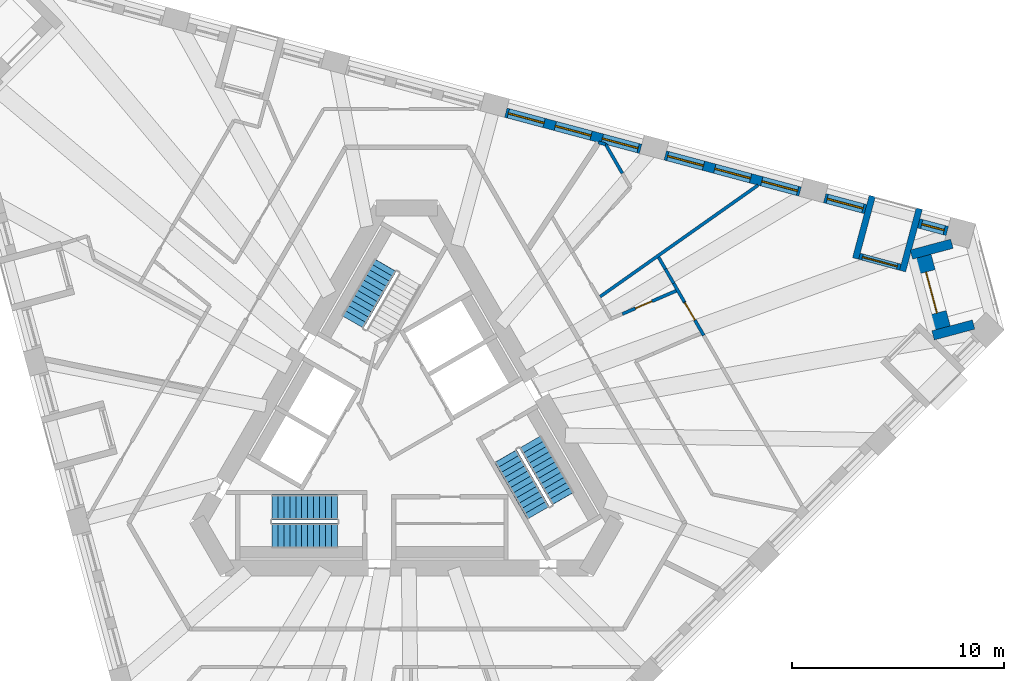
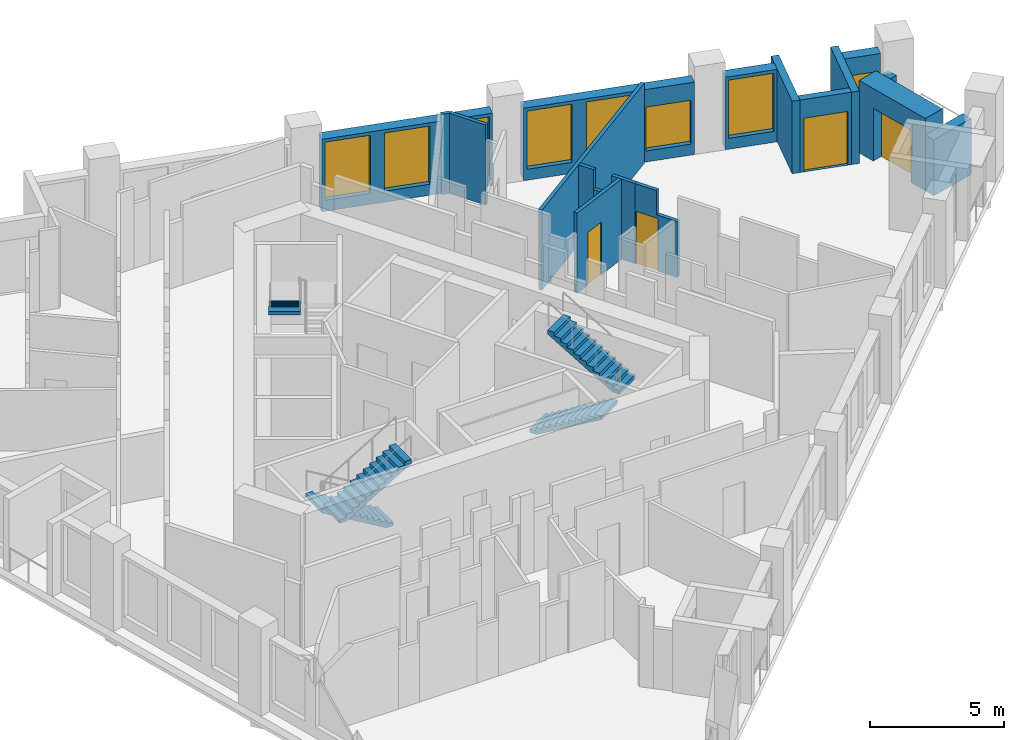
# One storey, part 8 of 13: 18 walls, 8 windows, 5 stair flights, 4 doors, 12 openings, 3 elements without a shape of their own.
"""IFC4 building model written with IfcOpenShell, lengths in metres."""

from ifc_helpers import new_model, si_unit, direction, frame, frame_2d, origin, place, context, subcontext, project, spatial, polyline, rectangle, outline, extrude, material, layer, layer_set, type_object, element, fill, aggregate, save


model = new_model("IFC4")

# Units and contexts
model_context = context("Model", 3, precision=1e-05, world=origin(), true_north=direction((0.0, 1.0)))
body_context = subcontext(model_context, "Body", "Model", "MODEL_VIEW")
ifc_project = project(units=[si_unit("LENGTHUNIT", "METRE"), si_unit("AREAUNIT", "SQUARE_METRE"), si_unit("VOLUMEUNIT", "CUBIC_METRE"), si_unit("PLANEANGLEUNIT", "RADIAN"), si_unit("MASSUNIT", "GRAM", prefix="KILO")], contexts=[model_context])

# Site, building, storey
site_placement = place(None, origin())
site = spatial("IfcSite", under=ifc_project, at=site_placement, CompositionType="ELEMENT")
building_placement = place(site_placement, origin())
building = spatial("IfcBuilding", under=site, at=building_placement, Name="Tramontana Tower", CompositionType="ELEMENT")
storey_placement = place(building_placement, frame((0.0, 0.0, 224.0)))
storey = spatial("IfcBuildingStorey", under=building, at=storey_placement, Name="L52", CompositionType="ELEMENT", Elevation=224.0)

# Wall, opening, window
ifc_material_1 = material(Name="Precast concrete 60 MPa", Category="concrete")
ifc_layer_1 = layer(ifc_material_1, 0.449951171875)
ifc_layer_set_1 = layer_set([ifc_layer_1], Name="Precast concrete 60 MPa, 450 mm")
wall_type_1 = type_object("IfcWallType", Name="EW1 Stone-faced precast wall 450", PredefinedType="SOLIDWALL", material=ifc_layer_set_1)
wall_1_placement = place(storey_placement, frame((25.522705078125, 9.54443359375, 0.0), z_axis=(0.0, 0.0, 1.0), x_axis=(-0.965938699585, 0.258770996527, 0.0)))
wall_1 = element("IfcWall", 1, at=wall_1_placement, inside=storey, type_object=wall_type_1, Name="External wall L52 face 2 bay 1", PredefinedType="SOLIDWALL", context=body_context, shape_type="SweptSolid", body=[
    extrude(rectangle(XDim=1.398193359375, YDim=0.449951171875, at=frame_2d((0.69921875, 0.0))), origin(), (0.0, 0.0, 1.0), 3.300048828125),
])
opening_1_placement = place(wall_1_placement, frame((0.14892578125, 0.0, 0.5)))
opening_1 = element("IfcOpeningElement", 2, at=opening_1_placement, cuts=wall_1, Name="Opening N2L", PredefinedType="OPENING", context=body_context, shape_type="SweptSolid", body=[
    extrude(rectangle(XDim=1.10009765625, YDim=2.0, at=frame_2d((0.550048828125, 1.0))), frame((0.0, 0.23486328125, 0.0), z_axis=(0.0, -1.0, 0.0), x_axis=(1.0, 0.0, 0.0)), (0.0, 0.0, 1.0), 0.469970703125),
])
ifc_material_2 = material(Name="Aluminum frame, double glazing unit", Category="aluminium")
window_type_1 = type_object("IfcWindowType", Name="N2L Window 1.1 x 2", PartitioningType="SINGLE_PANEL", PredefinedType="WINDOW", material=ifc_material_2)
window_1_placement = place(opening_1_placement, origin())
window_1 = element("IfcWindow", 3, at=window_1_placement, inside=storey, type_object=window_type_1, Name="Window N2L L52 face 2 module 1", OverallHeight=2.0, OverallWidth=1.10009765625, PartitioningType="SINGLE_PANEL", PredefinedType="WINDOW", context=body_context, shape_type="SweptSolid", body=[
    extrude(rectangle(XDim=1.10009765625, YDim=2.0, at=frame_2d((0.550048828125, 1.0))), frame((0.0, 0.030029296875, 0.0), z_axis=(0.0, -1.0, 0.0), x_axis=(1.0, 0.0, 0.0)), (0.0, 0.0, 1.0), 0.06005859375),
])
fill(opening_1, window_1)

wall_2_placement = place(storey_placement, frame((21.66259765625, 10.578857421875, 0.0), z_axis=(0.0, 0.0, 1.0), x_axis=(-0.96593005298, 0.258803270362, 0.0)))
wall_2 = element("IfcWall", 4, at=wall_2_placement, inside=storey, type_object=wall_type_1, Name="External wall L52 face 2 bay 1", PredefinedType="SOLIDWALL", context=body_context, shape_type="SweptSolid", body=[
    extrude(rectangle(XDim=1.998046875, YDim=0.449951171875, at=frame_2d((0.9990234375, 0.0))), origin(), (0.0, 0.0, 1.0), 3.300048828125),
])
opening_2_placement = place(wall_2_placement, frame((0.1240234375, 0.0, 0.5)))
opening_2 = element("IfcOpeningElement", 5, at=opening_2_placement, cuts=wall_2, Name="Opening M2", PredefinedType="OPENING", context=body_context, shape_type="SweptSolid", body=[
    extrude(rectangle(XDim=1.75, YDim=2.64990234375, at=frame_2d((0.875, 1.324951171875))), frame((0.0, 0.23486328125, 0.0), z_axis=(0.0, -1.0, 0.0), x_axis=(1.0, 0.0, 0.0)), (0.0, 0.0, 1.0), 0.469970703125),
])
ifc_material_3 = material(Name="Aluminum frame, double glazing unit", Category="aluminium")
window_type_2 = type_object("IfcWindowType", Name="M2 Window 1.75 x 2.65", PartitioningType="SINGLE_PANEL", PredefinedType="WINDOW", material=ifc_material_3)
window_2_placement = place(opening_2_placement, origin())
window_2 = element("IfcWindow", 6, at=window_2_placement, inside=storey, type_object=window_type_2, Name="Window M2 L52 face 2 module 3", OverallHeight=2.64990234375, OverallWidth=1.75, PartitioningType="SINGLE_PANEL", PredefinedType="WINDOW", context=body_context, shape_type="SweptSolid", body=[
    extrude(rectangle(XDim=1.75, YDim=2.64990234375, at=frame_2d((0.875, 1.324951171875))), frame((0.0, 0.030029296875, 0.0), z_axis=(0.0, -1.0, 0.0), x_axis=(1.0, 0.0, 0.0)), (0.0, 0.0, 1.0), 0.06005859375),
])
fill(opening_2, window_2)

# Wall, openings, windows
wall_3_placement = place(storey_placement, frame((18.573486328125, 11.406494140625, 0.0), z_axis=(0.0, 0.0, 1.0), x_axis=(-0.965921443251, 0.258835402268, 0.0)))
wall_3 = element("IfcWall", 7, at=wall_3_placement, inside=storey, type_object=wall_type_1, Name="External wall L52 face 2 bay 2", PredefinedType="SOLIDWALL", context=body_context, shape_type="SweptSolid", body=[
    extrude(rectangle(XDim=6.593994140625, YDim=0.449951171875, at=frame_2d((3.296875, 0.0))), origin(), (0.0, 0.0, 1.0), 3.300048828125),
])
opening_3_placement = place(wall_3_placement, frame((0.1240234375, 0.0, 0.5)))
opening_3 = element("IfcOpeningElement", 8, at=opening_3_placement, cuts=wall_3, Name="Opening M2L", PredefinedType="OPENING", context=body_context, shape_type="SweptSolid", body=[
    extrude(rectangle(XDim=1.75, YDim=2.0, at=frame_2d((0.875, 1.0))), frame((0.0, 0.23486328125, 0.0), z_axis=(0.0, -1.0, 0.0), x_axis=(1.0, 0.0, 0.0)), (0.0, 0.0, 1.0), 0.469970703125),
])
opening_4_placement = place(wall_3_placement, frame((2.422119140625, 0.0, 0.5)))
opening_4 = element("IfcOpeningElement", 9, at=opening_4_placement, cuts=wall_3, Name="Opening M2", PredefinedType="OPENING", context=body_context, shape_type="SweptSolid", body=[
    extrude(rectangle(XDim=1.75, YDim=2.64990234375, at=frame_2d((0.875, 1.324951171875))), frame((0.0, 0.23486328125, 0.0), z_axis=(0.0, -1.0, 0.0), x_axis=(1.0, 0.0, 0.0)), (0.0, 0.0, 1.0), 0.469970703125),
])
opening_5_placement = place(wall_3_placement, frame((4.72021484375, 0.0, 0.5)))
opening_5 = element("IfcOpeningElement", 10, at=opening_5_placement, cuts=wall_3, Name="Opening M2", PredefinedType="OPENING", context=body_context, shape_type="SweptSolid", body=[
    extrude(rectangle(XDim=1.75, YDim=2.64990234375, at=frame_2d((0.875, 1.324951171875))), frame((0.0, 0.23486328125, 0.0), z_axis=(0.0, -1.0, 0.0), x_axis=(1.0, 0.0, 0.0)), (0.0, 0.0, 1.0), 0.469970703125),
])
window_3_placement = place(opening_4_placement, origin())
window_3 = element("IfcWindow", 11, at=window_3_placement, inside=storey, type_object=window_type_2, Name="Window M2 L52 face 2 module 5", OverallHeight=2.64990234375, OverallWidth=1.75, PartitioningType="SINGLE_PANEL", PredefinedType="WINDOW", context=body_context, shape_type="SweptSolid", body=[
    extrude(rectangle(XDim=1.75, YDim=2.64990234375, at=frame_2d((0.875, 1.324951171875))), frame((0.0, 0.030029296875, 0.0), z_axis=(0.0, -1.0, 0.0), x_axis=(1.0, 0.0, 0.0)), (0.0, 0.0, 1.0), 0.06005859375),
])
fill(opening_4, window_3)
window_4_placement = place(opening_5_placement, origin())
window_4 = element("IfcWindow", 12, at=window_4_placement, inside=storey, type_object=window_type_2, Name="Window M2 L52 face 2 module 6", OverallHeight=2.64990234375, OverallWidth=1.75, PartitioningType="SINGLE_PANEL", PredefinedType="WINDOW", context=body_context, shape_type="SweptSolid", body=[
    extrude(rectangle(XDim=1.75, YDim=2.64990234375, at=frame_2d((0.875, 1.324951171875))), frame((0.0, 0.030029296875, 0.0), z_axis=(0.0, -1.0, 0.0), x_axis=(1.0, 0.0, 0.0)), (0.0, 0.0, 1.0), 0.06005859375),
])
fill(opening_5, window_4)
ifc_material_4 = material(Name="Aluminum frame, double glazing unit", Category="aluminium")
window_type_3 = type_object("IfcWindowType", Name="M2L Window 1.75 x 2", PartitioningType="SINGLE_PANEL", PredefinedType="WINDOW", material=ifc_material_4)
window_5_placement = place(opening_3_placement, origin())
window_5 = element("IfcWindow", 13, at=window_5_placement, inside=storey, type_object=window_type_3, Name="Window M2L L52 face 2 module 4", OverallHeight=2.0, OverallWidth=1.75, PartitioningType="SINGLE_PANEL", PredefinedType="WINDOW", context=body_context, shape_type="SweptSolid", body=[
    extrude(rectangle(XDim=1.75, YDim=2.0, at=frame_2d((0.875, 1.0))), frame((0.0, 0.030029296875, 0.0), z_axis=(0.0, -1.0, 0.0), x_axis=(1.0, 0.0, 0.0)), (0.0, 0.0, 1.0), 0.06005859375),
])
fill(opening_3, window_5)

wall_4_placement = place(storey_placement, frame((11.044921875, 13.423828125, 0.0), z_axis=(0.0, 0.0, 1.0), x_axis=(-0.965933178973, 0.258791602952, 0.0)))
wall_4 = element("IfcWall", 14, at=wall_4_placement, inside=storey, type_object=wall_type_1, Name="External wall L52 face 2 bay 3", PredefinedType="SOLIDWALL", context=body_context, shape_type="SweptSolid", body=[
    extrude(rectangle(XDim=6.59423828125, YDim=0.449951171875, at=frame_2d((3.297119140625, 0.0))), origin(), (0.0, 0.0, 1.0), 3.300048828125),
])
opening_6_placement = place(wall_4_placement, frame((0.1240234375, 0.0, 0.5)))
opening_6 = element("IfcOpeningElement", 15, at=opening_6_placement, cuts=wall_4, Name="Opening M2", PredefinedType="OPENING", context=body_context, shape_type="SweptSolid", body=[
    extrude(rectangle(XDim=1.75, YDim=2.64990234375, at=frame_2d((0.875, 1.324951171875))), frame((0.0, 0.23486328125, 0.0), z_axis=(0.0, -1.0, 0.0), x_axis=(1.0, 0.0, 0.0)), (0.0, 0.0, 1.0), 0.469970703125),
])
opening_7_placement = place(wall_4_placement, frame((2.422119140625, 0.0, 0.5)))
opening_7 = element("IfcOpeningElement", 16, at=opening_7_placement, cuts=wall_4, Name="Opening M2", PredefinedType="OPENING", context=body_context, shape_type="SweptSolid", body=[
    extrude(rectangle(XDim=1.75, YDim=2.64990234375, at=frame_2d((0.875, 1.324951171875))), frame((0.0, 0.23486328125, 0.0), z_axis=(0.0, -1.0, 0.0), x_axis=(1.0, 0.0, 0.0)), (0.0, 0.0, 1.0), 0.469970703125),
])
opening_8_placement = place(wall_4_placement, frame((4.72021484375, 0.0, 0.5)))
opening_8 = element("IfcOpeningElement", 17, at=opening_8_placement, cuts=wall_4, Name="Opening M2", PredefinedType="OPENING", context=body_context, shape_type="SweptSolid", body=[
    extrude(rectangle(XDim=1.75, YDim=2.64990234375, at=frame_2d((0.875, 1.324951171875))), frame((0.0, 0.23486328125, 0.0), z_axis=(0.0, -1.0, 0.0), x_axis=(1.0, 0.0, 0.0)), (0.0, 0.0, 1.0), 0.469970703125),
])
window_6_placement = place(opening_6_placement, origin())
window_6 = element("IfcWindow", 18, at=window_6_placement, inside=storey, type_object=window_type_2, Name="Window M2 L52 face 2 module 7", OverallHeight=2.64990234375, OverallWidth=1.75, PartitioningType="SINGLE_PANEL", PredefinedType="WINDOW", context=body_context, shape_type="SweptSolid", body=[
    extrude(rectangle(XDim=1.75, YDim=2.64990234375, at=frame_2d((0.875, 1.324951171875))), frame((0.0, 0.030029296875, 0.0), z_axis=(0.0, -1.0, 0.0), x_axis=(1.0, 0.0, 0.0)), (0.0, 0.0, 1.0), 0.06005859375),
])
fill(opening_6, window_6)
window_7_placement = place(opening_7_placement, origin())
window_7 = element("IfcWindow", 19, at=window_7_placement, inside=storey, type_object=window_type_2, Name="Window M2 L52 face 2 module 8", OverallHeight=2.64990234375, OverallWidth=1.75, PartitioningType="SINGLE_PANEL", PredefinedType="WINDOW", context=body_context, shape_type="SweptSolid", body=[
    extrude(rectangle(XDim=1.75, YDim=2.64990234375, at=frame_2d((0.875, 1.324951171875))), frame((0.0, 0.030029296875, 0.0), z_axis=(0.0, -1.0, 0.0), x_axis=(1.0, 0.0, 0.0)), (0.0, 0.0, 1.0), 0.06005859375),
])
fill(opening_7, window_7)
window_8_placement = place(opening_8_placement, origin())
window_8 = element("IfcWindow", 20, at=window_8_placement, inside=storey, type_object=window_type_2, Name="Window M2 L52 face 2 module 9", OverallHeight=2.64990234375, OverallWidth=1.75, PartitioningType="SINGLE_PANEL", PredefinedType="WINDOW", context=body_context, shape_type="SweptSolid", body=[
    extrude(rectangle(XDim=1.75, YDim=2.64990234375, at=frame_2d((0.875, 1.324951171875))), frame((0.0, 0.030029296875, 0.0), z_axis=(0.0, -1.0, 0.0), x_axis=(1.0, 0.0, 0.0)), (0.0, 0.0, 1.0), 0.06005859375),
])
fill(opening_8, window_8)

# Walls
wall_5_placement = place(storey_placement, frame((25.741943359375, 8.942138671875, 0.0), z_axis=(0.0, 0.0, 1.0), x_axis=(-0.965935388955, -0.258783354109, 0.0)))
element("IfcWall", 21, at=wall_5_placement, inside=storey, type_object=wall_type_1, Name="Corner loggia side wall L52 K52l", PredefinedType="SOLIDWALL", context=body_context, shape_type="SweptSolid", body=[
    extrude(rectangle(XDim=1.979248046875, YDim=0.449951171875, at=frame_2d((0.98974609375, 0.0))), origin(), (0.0, 0.0, 1.0), 2.550048828125),
])
wall_6_placement = place(storey_placement, frame((26.76416015625, 5.126708984375, 0.0), z_axis=(0.0, 0.0, 1.0), x_axis=(-0.965927127032, -0.258814190615, 0.0)))
element("IfcWall", 22, at=wall_6_placement, inside=storey, type_object=wall_type_1, Name="Corner loggia side wall L52 K52r", PredefinedType="SOLIDWALL", context=body_context, shape_type="SweptSolid", body=[
    extrude(rectangle(XDim=1.97900390625, YDim=0.449951171875, at=frame_2d((0.989501953125, 0.0))), origin(), (0.0, 0.0, 1.0), 2.550048828125),
])

# Wall, opening, door
ifc_material_5 = material(Name="Precast concrete 60 MPa", Category="concrete")
ifc_layer_2 = layer(ifc_material_5, 0.89990234375)
ifc_layer_set_2 = layer_set([ifc_layer_2], Name="EW2 Stone-faced corner loggia wall 900")
wall_type_2 = type_object("IfcWallType", Name="EW2 Stone-faced corner loggia wall 900", PredefinedType="SOLIDWALL", material=ifc_layer_set_2)
wall_7_placement = place(storey_placement, frame((24.322998046875, 8.3291015625, 0.0), z_axis=(0.0, 0.0, 1.0), x_axis=(0.258847652622, -0.965918160473, 0.0)))
wall_7 = element("IfcWall", 23, at=wall_7_placement, inside=storey, type_object=wall_type_2, Name="Corner loggia wall L52 K52", PredefinedType="SOLIDWALL", context=body_context, shape_type="SweptSolid", body=[
    extrude(rectangle(XDim=3.500244140625, YDim=0.89990234375, at=frame_2d((1.75, 0.0))), origin(), (0.0, 0.0, 1.0), 3.300048828125),
])
opening_9_placement = place(wall_7_placement, frame((0.75, 0.0, 0.0)))
opening_9 = element("IfcOpeningElement", 24, at=opening_9_placement, cuts=wall_7, Name="Opening BD-52C", PredefinedType="OPENING", context=body_context, shape_type="SweptSolid", body=[
    extrude(rectangle(XDim=2.0, YDim=2.39990234375, at=frame_2d((1.0, 1.199951171875))), frame((0.0, 0.4599609375, 0.0), z_axis=(0.0, -1.0, 0.0), x_axis=(1.0, 0.0, 0.0)), (0.0, 0.0, 1.0), 0.919921875),
])
ifc_material_6 = material(Name="Aluminum frame, double glazing unit", Category="aluminium")
door_type_1 = type_object("IfcDoorType", Name="BC1 Sliding door 2 x 2.4", OperationType="SLIDING_TO_LEFT", PredefinedType="DOOR", material=ifc_material_6)
door_1_placement = place(opening_9_placement, origin())
door_1 = element("IfcDoor", 25, at=door_1_placement, inside=storey, type_object=door_type_1, Name="Corner loggia door L52 K52", OperationType="SLIDING_TO_LEFT", OverallHeight=2.39990234375, OverallWidth=2.0, PredefinedType="DOOR", context=body_context, shape_type="SweptSolid", body=[
    extrude(rectangle(XDim=2.0, YDim=2.39990234375, at=frame_2d((1.0, 1.199951171875))), frame((0.0, 0.02490234375, 0.0), z_axis=(0.0, -1.0, 0.0), x_axis=(1.0, 0.0, 0.0)), (0.0, 0.0, 1.0), 0.050048828125),
])
fill(opening_9, door_1)

ifc_material_7 = material(Name="Precast concrete 60 MPa", Category="concrete")
ifc_layer_3 = layer(ifc_material_7, 0.300048828125)
ifc_layer_set_3 = layer_set([ifc_layer_3], Name="LW1 Stone-faced loggia wall 300")
wall_type_3 = type_object("IfcWallType", Name="LW1 Stone-faced loggia wall 300", PredefinedType="SOLIDWALL", material=ifc_layer_set_3)
wall_8_placement = place(storey_placement, frame((23.306640625, 7.834716796875, 0.0), z_axis=(0.0, 0.0, 1.0), x_axis=(-0.965938235865, 0.258772727493, 0.0)))
wall_8 = element("IfcWall", 26, at=wall_8_placement, inside=storey, type_object=wall_type_3, Name="Loggia wall L52 G5S2.1", PredefinedType="SOLIDWALL", context=body_context, shape_type="SweptSolid", body=[
    extrude(rectangle(XDim=1.998291015625, YDim=0.300048828125, at=frame_2d((0.9990234375, 0.0))), origin(), (0.0, 0.0, 1.0), 3.300048828125),
])
opening_10_placement = place(wall_8_placement, frame((0.14892578125, 0.0, 0.0)))
opening_10 = element("IfcOpeningElement", 27, at=opening_10_placement, cuts=wall_8, Name="Opening BD-5S2-01", PredefinedType="OPENING", context=body_context, shape_type="SweptSolid", body=[
    extrude(rectangle(XDim=1.699951171875, YDim=2.449951171875, at=frame_2d((0.85009765625, 1.22509765625))), frame((0.0, 0.159912109375, 0.0), z_axis=(0.0, -1.0, 0.0), x_axis=(1.0, 0.0, 0.0)), (0.0, 0.0, 1.0), 0.320068359375),
])
ifc_material_8 = material(Name="Aluminum frame, double glazing unit", Category="aluminium")
door_type_2 = type_object("IfcDoorType", Name="BD2 Sliding door 1.7 x 2.45", OperationType="SLIDING_TO_LEFT", PredefinedType="DOOR", material=ifc_material_8)
door_2_placement = place(opening_10_placement, origin())
door_2 = element("IfcDoor", 28, at=door_2_placement, inside=storey, type_object=door_type_2, Name="Loggia door L52 G5S2.1", OperationType="SLIDING_TO_LEFT", OverallHeight=2.449951171875, OverallWidth=1.699951171875, PredefinedType="DOOR", context=body_context, shape_type="SweptSolid", body=[
    extrude(rectangle(XDim=1.699951171875, YDim=2.449951171875, at=frame_2d((0.85009765625, 1.22509765625))), frame((0.0, 0.02490234375, 0.0), z_axis=(0.0, -1.0, 0.0), x_axis=(1.0, 0.0, 0.0)), (0.0, 0.0, 1.0), 0.050048828125),
])
fill(opening_10, door_2)

# Walls
for number, where, z_axis, x_axis, name in (
    (29, (24.201904296875, 10.59716796875, 0.0), (0.0, 0.0, 1.0), (-0.258793435045, -0.965932688119, 0.0), "Loggia return L52 G5S2.1a"),
    (30, (21.982177734375, 11.19189453125, 0.0), (0.0, 0.0, 1.0), (-0.258793435045, -0.965932688119, 0.0), "Loggia return L52 G5S2.1b"),
):
    element("IfcWall", number, at=place(storey_placement, frame(where, z_axis=z_axis, x_axis=x_axis)), inside=storey, type_object=wall_type_3, Name=name, PredefinedType="SOLIDWALL", context=body_context, shape_type="SweptSolid", body=[
        extrude(rectangle(XDim=3.050048828125, YDim=0.300048828125, at=frame_2d((1.52490234375, 0.0))), origin(), (0.0, 0.0, 1.0), 3.300048828125),
    ])
ifc_material_9 = material(Name="Gypsum board partition")
ifc_layer_4 = layer(ifc_material_9, 0.14990234375)
ifc_layer_set_4 = layer_set([ifc_layer_4], Name="PARTITION 150")
wall_type_4 = type_object("IfcWallType", Name="PARTITION 150", PredefinedType="PARTITIONING", material=ifc_layer_set_4)
wall_9_placement = place(storey_placement, frame((9.056640625, 13.7236328125, 0.0), z_axis=(0.0, 0.0, 1.0), x_axis=(0.96594175785, -0.258759580387, 0.0)))
element("IfcWall", 31, at=wall_9_placement, inside=storey, type_object=wall_type_4, Name="Wall v52-pw26", PredefinedType="PARTITIONING", context=body_context, shape_type="SweptSolid", body=[
    extrude(rectangle(XDim=0.34619140625, YDim=0.14990234375, at=frame_2d((0.173095703125, 0.0))), origin(), (0.0, 0.0, 1.0), 3.64990234375),
])
wall_10_placement = place(storey_placement, frame((9.126708984375, 6.44189453125, 0.0), z_axis=(0.0, 0.0, 1.0), x_axis=(0.816989355672, 0.576652748817, 0.0)))
element("IfcWall", 32, at=wall_10_placement, inside=storey, type_object=wall_type_4, Name="Wall v52-pw27", PredefinedType="PARTITIONING", context=body_context, shape_type="SweptSolid", body=[
    extrude(rectangle(XDim=9.129150390625, YDim=0.14990234375, at=frame_2d((4.564453125, 0.0))), origin(), (0.0, 0.0, 1.0), 3.64990234375),
])
wall_11_placement = place(storey_placement, frame((9.39111328125, 13.634033203125, 0.0), z_axis=(0.0, 0.0, 1.0), x_axis=(0.500048238042, -0.865997551747, 0.0)))
element("IfcWall", 33, at=wall_11_placement, inside=storey, type_object=wall_type_4, Name="Wall v52-pw28-0", PredefinedType="PARTITIONING", context=body_context, shape_type="SweptSolid", body=[
    extrude(rectangle(XDim=1.578369140625, YDim=0.14990234375, at=frame_2d((0.7890625, 0.0))), origin(), (0.0, 0.0, 1.0), 3.64990234375),
])

# Wall, opening, door
wall_12_placement = place(storey_placement, frame((10.1806640625, 5.626220703125, 0.0), z_axis=(0.0, 0.0, 1.0), x_axis=(0.918774601561, 0.394782511677, 0.0)))
wall_12 = element("IfcWall", 34, at=wall_12_placement, inside=storey, type_object=wall_type_4, Name="Wall v52-pw29-1", PredefinedType="PARTITIONING", context=body_context, shape_type="SweptSolid", body=[
    extrude(rectangle(XDim=2.764404296875, YDim=0.14990234375, at=frame_2d((1.38232421875, 0.0))), origin(), (0.0, 0.0, 1.0), 3.64990234375),
])
opening_11_placement = place(wall_12_placement, frame((0.666015625, 0.0, 0.0)))
opening_11 = element("IfcOpeningElement", 35, at=opening_11_placement, cuts=wall_12, Name="Opening B5C-13", PredefinedType="OPENING", context=body_context, shape_type="SweptSolid", body=[
    extrude(rectangle(XDim=0.85009765625, YDim=2.39990234375, at=frame_2d((0.425048828125, 1.199951171875))), frame((0.0, 0.0849609375, 0.0), z_axis=(0.0, -1.0, 0.0), x_axis=(1.0, 0.0, 0.0)), (0.0, 0.0, 1.0), 0.169921875),
])
ifc_material_10 = material(Name="Painted timber", Category="wood")
door_type_3 = type_object("IfcDoorType", Name="DOOR BATH 850", OperationType="SINGLE_SWING_LEFT", PredefinedType="DOOR", material=ifc_material_10)
door_3_placement = place(opening_11_placement, origin())
door_3 = element("IfcDoor", 36, at=door_3_placement, inside=storey, type_object=door_type_3, Name="Door B5C-13", OperationType="SINGLE_SWING_LEFT", OverallHeight=2.39990234375, OverallWidth=0.85009765625, PredefinedType="DOOR", context=body_context, shape_type="SweptSolid", body=[
    extrude(rectangle(XDim=0.85009765625, YDim=2.39990234375, at=frame_2d((0.425048828125, 1.199951171875))), frame((0.0, 0.02490234375, 0.0), z_axis=(0.0, -1.0, 0.0), x_axis=(1.0, 0.0, 0.0)), (0.0, 0.0, 1.0), 0.050048828125),
])
fill(opening_11, door_3)

# Walls
wall_13_placement = place(storey_placement, frame((11.892333984375, 8.302001953125, 0.0), z_axis=(0.0, 0.0, 1.0), x_axis=(0.499842556608, -0.866116284689, 0.0)))
element("IfcWall", 37, at=wall_13_placement, inside=storey, type_object=wall_type_4, Name="Wall v52-pw33-0", PredefinedType="PARTITIONING", context=body_context, shape_type="SweptSolid", body=[
    extrude(rectangle(XDim=0.645263671875, YDim=0.14990234375, at=frame_2d((0.32275390625, 0.0))), origin(), (0.0, 0.0, 1.0), 3.64990234375),
])
wall_14_placement = place(storey_placement, frame((12.21484375, 7.7431640625, 0.0), z_axis=(0.0, 0.0, 1.0), x_axis=(0.500204125617, -0.865907519724, 0.0)))
element("IfcWall", 38, at=wall_14_placement, inside=storey, type_object=wall_type_4, Name="Wall v52-pw33-1", PredefinedType="PARTITIONING", context=body_context, shape_type="SweptSolid", body=[
    extrude(rectangle(XDim=0.775146484375, YDim=0.14990234375, at=frame_2d((0.3876953125, 0.0))), origin(), (0.0, 0.0, 1.0), 2.75),
])
wall_15_placement = place(storey_placement, frame((12.6025390625, 7.072021484375, 0.0), z_axis=(0.0, 0.0, 1.0), x_axis=(0.499813337478, -0.866133146623, 0.0)))
element("IfcWall", 39, at=wall_15_placement, inside=storey, type_object=wall_type_4, Name="Wall v52-pw33-2", PredefinedType="PARTITIONING", context=body_context, shape_type="SweptSolid", body=[
    extrude(rectangle(XDim=1.0078125, YDim=0.14990234375, at=frame_2d((0.50390625, 0.0))), origin(), (0.0, 0.0, 1.0), 3.64990234375),
])

# Wall, opening, door
wall_16_placement = place(storey_placement, frame((13.106201171875, 6.19921875, 0.0), z_axis=(0.0, 0.0, 1.0), x_axis=(0.500011000363, -0.866019052629, 0.0)))
wall_16 = element("IfcWall", 40, at=wall_16_placement, inside=storey, type_object=wall_type_4, Name="Wall v52-pw33-3", PredefinedType="PARTITIONING", context=body_context, shape_type="SweptSolid", body=[
    extrude(outline(polyline([(0.0, 0.0), (1.8310546875, 0.0), (1.8310546875, 2.550048828125), (0.9423828125, 2.550048828125), (0.9423828125, 3.64990234375), (0.0, 3.64990234375), (0.0, 0.0)])), frame((0.0, 0.074951171875, 0.0), z_axis=(0.0, -1.0, 0.0), x_axis=(1.0, 0.0, 0.0)), (0.0, 0.0, 1.0), 0.14990234375),
])
opening_12_placement = place(wall_16_placement, frame((0.050048828125, 0.0, 0.0)))
opening_12 = element("IfcOpeningElement", 41, at=opening_12_placement, cuts=wall_16, Name="Opening B5C-14", PredefinedType="OPENING", context=body_context, shape_type="SweptSolid", body=[
    extrude(rectangle(XDim=0.949951171875, YDim=2.39990234375, at=frame_2d((0.47509765625, 1.199951171875))), frame((0.0, 0.0849609375, 0.0), z_axis=(0.0, -1.0, 0.0), x_axis=(1.0, 0.0, 0.0)), (0.0, 0.0, 1.0), 0.169921875),
])
ifc_material_11 = material(Name="Painted timber", Category="wood")
door_type_4 = type_object("IfcDoorType", Name="DOOR ROOM 950", OperationType="SINGLE_SWING_LEFT", PredefinedType="DOOR", material=ifc_material_11)
door_4_placement = place(opening_12_placement, origin())
door_4 = element("IfcDoor", 42, at=door_4_placement, inside=storey, type_object=door_type_4, Name="Door B5C-14", OperationType="SINGLE_SWING_RIGHT", OverallHeight=2.39990234375, OverallWidth=0.949951171875, PredefinedType="DOOR", context=body_context, shape_type="SweptSolid", body=[
    extrude(rectangle(XDim=0.949951171875, YDim=2.39990234375, at=frame_2d((0.47509765625, 1.199951171875))), frame((0.0, 0.02490234375, 0.0), z_axis=(0.0, -1.0, 0.0), x_axis=(1.0, 0.0, 0.0)), (0.0, 0.0, 1.0), 0.050048828125),
])
fill(opening_12, door_4)

# Stair, stair flight
ifc_material_12 = material(Name="Concrete 40 MPa", Category="concrete")
stair_type = type_object("IfcStairType", Name="EXIT STAIR 24 RISERS", PredefinedType="HALF_TURN_STAIR", material=ifc_material_12)
stair_1_placement = place(storey_placement, origin())
stair_1 = element("IfcStair", 43, at=stair_1_placement, inside=storey, type_object=stair_type, Name="L52 Exit stair ST1", PredefinedType="HALF_TURN_STAIR")
ifc_material_13 = material(Name="Concrete 40 MPa", Category="concrete")
ifc_layer_5 = layer(ifc_material_13, 0.14990234375)
ifc_layer_set_5 = layer_set([ifc_layer_5], Name="EXIT STAIR FLIGHT")
stair_flight_type = type_object("IfcStairFlightType", Name="EXIT STAIR FLIGHT", PredefinedType="STRAIGHT", material=ifc_layer_set_5)
stair_flight_1_placement = place(storey_placement, frame((-1.020263671875, 7.932861328125, 2.0), z_axis=(0.0, 0.0, 1.0), x_axis=(-0.5, -0.866025403784, 0.0)))
stair_flight_1 = element("IfcStairFlight", 44, at=stair_flight_1_placement, type_object=stair_flight_type, Name="ST1 flight 2", NumberOfRisers=12, NumberOfTreads=11, PredefinedType="STRAIGHT", RiserHeight=0.166666667, TreadLength=0.28, context=body_context, shape_type="SweptSolid", body=[
    extrude(outline(polyline([(-0.006103515625, 0.0), (-0.006103515625, 0.0400390625), (0.0, 0.0400390625), (0.0, 0.166748046875), (0.280029296875, 0.166748046875), (0.280029296875, 0.333251953125), (0.56005859375, 0.333251953125), (0.56005859375, 0.5), (0.840087890625, 0.5), (0.840087890625, 0.666748046875), (1.1201171875, 0.666748046875), (1.1201171875, 0.833251953125), (1.39990234375, 0.833251953125), (1.39990234375, 1.0), (1.679931640625, 1.0), (1.679931640625, 1.166748046875), (1.9599609375, 1.166748046875), (1.9599609375, 1.333251953125), (2.239990234375, 1.333251953125), (2.239990234375, 1.5), (2.52001953125, 1.5), (2.52001953125, 1.666748046875), (2.800048828125, 1.666748046875), (2.800048828125, 1.833251953125), (3.080078125, 1.833251953125), (3.0859375, 1.833251953125), (3.0859375, 1.658935546875), (0.299072265625, 0.0), (-0.006103515625, 0.0)])), frame((0.0, 0.60009765625, 0.0), z_axis=(0.0, -1.0, 0.0), x_axis=(1.0, 0.0, 0.0)), (0.0, 0.0, 1.0), 1.199951171875),
])
aggregate(stair_1, [stair_flight_1])

# Stair, stair flights
stair_2_placement = place(storey_placement, origin())
stair_2 = element("IfcStair", 45, at=stair_2_placement, inside=storey, type_object=stair_type, Name="L52 Exit stair ST2", PredefinedType="HALF_TURN_STAIR")
stair_flight_2_placement = place(storey_placement, frame((-3.280029296875, -3.5, 0.0), z_axis=(0.0, 0.0, 1.0), x_axis=(-1.0, 0.0, 0.0)))
stair_flight_2 = element("IfcStairFlight", 46, at=stair_flight_2_placement, type_object=stair_flight_type, Name="ST2 flight 1", NumberOfRisers=12, NumberOfTreads=11, PredefinedType="STRAIGHT", RiserHeight=0.166666667, TreadLength=0.28, context=body_context, shape_type="SweptSolid", body=[
    extrude(outline(polyline([(-0.006103515625, 0.0), (-0.006103515625, 0.0400390625), (0.0, 0.0400390625), (0.0, 0.166748046875), (0.280029296875, 0.166748046875), (0.280029296875, 0.333251953125), (0.56005859375, 0.333251953125), (0.56005859375, 0.5), (0.840087890625, 0.5), (0.840087890625, 0.666748046875), (1.1201171875, 0.666748046875), (1.1201171875, 0.833251953125), (1.39990234375, 0.833251953125), (1.39990234375, 1.0), (1.679931640625, 1.0), (1.679931640625, 1.166748046875), (1.9599609375, 1.166748046875), (1.9599609375, 1.333251953125), (2.239990234375, 1.333251953125), (2.239990234375, 1.5), (2.52001953125, 1.5), (2.52001953125, 1.666748046875), (2.800048828125, 1.666748046875), (2.800048828125, 1.833251953125), (3.080078125, 1.833251953125), (3.0859375, 1.833251953125), (3.0859375, 1.658935546875), (0.299072265625, 0.0), (-0.006103515625, 0.0)])), frame((0.0, 0.60009765625, 0.0), z_axis=(0.0, -1.0, 0.0), x_axis=(1.0, 0.0, 0.0)), (0.0, 0.0, 1.0), 1.199951171875),
])
stair_flight_3_placement = place(storey_placement, frame((-6.360107421875, -4.85009765625, 2.0), z_axis=(0.0, 0.0, 1.0), x_axis=(1.0, 0.0, 0.0)))
stair_flight_3 = element("IfcStairFlight", 47, at=stair_flight_3_placement, type_object=stair_flight_type, Name="ST2 flight 2", NumberOfRisers=12, NumberOfTreads=11, PredefinedType="STRAIGHT", RiserHeight=0.166666667, TreadLength=0.28, context=body_context, shape_type="SweptSolid", body=[
    extrude(outline(polyline([(-0.006103515625, 0.0), (-0.006103515625, 0.0400390625), (0.0, 0.0400390625), (0.0, 0.166748046875), (0.280029296875, 0.166748046875), (0.280029296875, 0.333251953125), (0.56005859375, 0.333251953125), (0.56005859375, 0.5), (0.840087890625, 0.5), (0.840087890625, 0.666748046875), (1.1201171875, 0.666748046875), (1.1201171875, 0.833251953125), (1.39990234375, 0.833251953125), (1.39990234375, 1.0), (1.679931640625, 1.0), (1.679931640625, 1.166748046875), (1.9599609375, 1.166748046875), (1.9599609375, 1.333251953125), (2.239990234375, 1.333251953125), (2.239990234375, 1.5), (2.52001953125, 1.5), (2.52001953125, 1.666748046875), (2.800048828125, 1.666748046875), (2.800048828125, 1.833251953125), (3.080078125, 1.833251953125), (3.0859375, 1.833251953125), (3.0859375, 1.658935546875), (0.299072265625, 0.0), (-0.006103515625, 0.0)])), frame((0.0, 0.60009765625, 0.0), z_axis=(0.0, -1.0, 0.0), x_axis=(1.0, 0.0, 0.0)), (0.0, 0.0, 1.0), 1.199951171875),
])
aggregate(stair_2, [stair_flight_2, stair_flight_3])

stair_3_placement = place(storey_placement, origin())
stair_3 = element("IfcStair", 48, at=stair_3_placement, inside=storey, type_object=stair_type, Name="L52 Exit stair ST3", PredefinedType="HALF_TURN_STAIR")
stair_flight_4_placement = place(storey_placement, frame((4.671142578125, -1.090576171875, 0.0), z_axis=(0.0, 0.0, 1.0), x_axis=(0.5, -0.866025403784, 0.0)))
stair_flight_4 = element("IfcStairFlight", 49, at=stair_flight_4_placement, type_object=stair_flight_type, Name="ST3 flight 1", NumberOfRisers=12, NumberOfTreads=11, PredefinedType="STRAIGHT", RiserHeight=0.166666667, TreadLength=0.28, context=body_context, shape_type="SweptSolid", body=[
    extrude(outline(polyline([(-0.006103515625, 0.0), (-0.006103515625, 0.0400390625), (0.0, 0.0400390625), (0.0, 0.166748046875), (0.280029296875, 0.166748046875), (0.280029296875, 0.333251953125), (0.56005859375, 0.333251953125), (0.56005859375, 0.5), (0.840087890625, 0.5), (0.840087890625, 0.666748046875), (1.1201171875, 0.666748046875), (1.1201171875, 0.833251953125), (1.39990234375, 0.833251953125), (1.39990234375, 1.0), (1.679931640625, 1.0), (1.679931640625, 1.166748046875), (1.9599609375, 1.166748046875), (1.9599609375, 1.333251953125), (2.239990234375, 1.333251953125), (2.239990234375, 1.5), (2.52001953125, 1.5), (2.52001953125, 1.666748046875), (2.800048828125, 1.666748046875), (2.800048828125, 1.833251953125), (3.080078125, 1.833251953125), (3.0859375, 1.833251953125), (3.0859375, 1.658935546875), (0.299072265625, 0.0), (-0.006103515625, 0.0)])), frame((0.0, 0.60009765625, 0.0), z_axis=(0.0, -1.0, 0.0), x_axis=(1.0, 0.0, 0.0)), (0.0, 0.0, 1.0), 1.199951171875),
])
stair_flight_5_placement = place(storey_placement, frame((7.380126953125, -3.0830078125, 2.0), z_axis=(0.0, 0.0, 1.0), x_axis=(-0.5, 0.866025403784, 0.0)))
stair_flight_5 = element("IfcStairFlight", 50, at=stair_flight_5_placement, type_object=stair_flight_type, Name="ST3 flight 2", NumberOfRisers=12, NumberOfTreads=11, PredefinedType="STRAIGHT", RiserHeight=0.166666667, TreadLength=0.28, context=body_context, shape_type="SweptSolid", body=[
    extrude(outline(polyline([(-0.006103515625, 0.0), (-0.006103515625, 0.0400390625), (0.0, 0.0400390625), (0.0, 0.166748046875), (0.280029296875, 0.166748046875), (0.280029296875, 0.333251953125), (0.56005859375, 0.333251953125), (0.56005859375, 0.5), (0.840087890625, 0.5), (0.840087890625, 0.666748046875), (1.1201171875, 0.666748046875), (1.1201171875, 0.833251953125), (1.39990234375, 0.833251953125), (1.39990234375, 1.0), (1.679931640625, 1.0), (1.679931640625, 1.166748046875), (1.9599609375, 1.166748046875), (1.9599609375, 1.333251953125), (2.239990234375, 1.333251953125), (2.239990234375, 1.5), (2.52001953125, 1.5), (2.52001953125, 1.666748046875), (2.800048828125, 1.666748046875), (2.800048828125, 1.833251953125), (3.080078125, 1.833251953125), (3.0859375, 1.833251953125), (3.0859375, 1.658935546875), (0.299072265625, 0.0), (-0.006103515625, 0.0)])), frame((0.0, 0.60009765625, 0.0), z_axis=(0.0, -1.0, 0.0), x_axis=(1.0, 0.0, 0.0)), (0.0, 0.0, 1.0), 1.199951171875),
])
aggregate(stair_3, [stair_flight_4, stair_flight_5])

save(model, "model.ifc")
